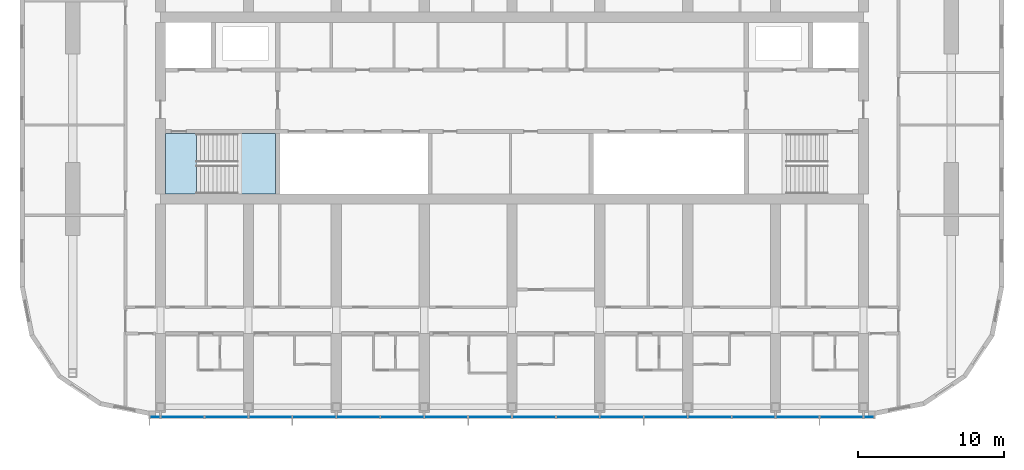
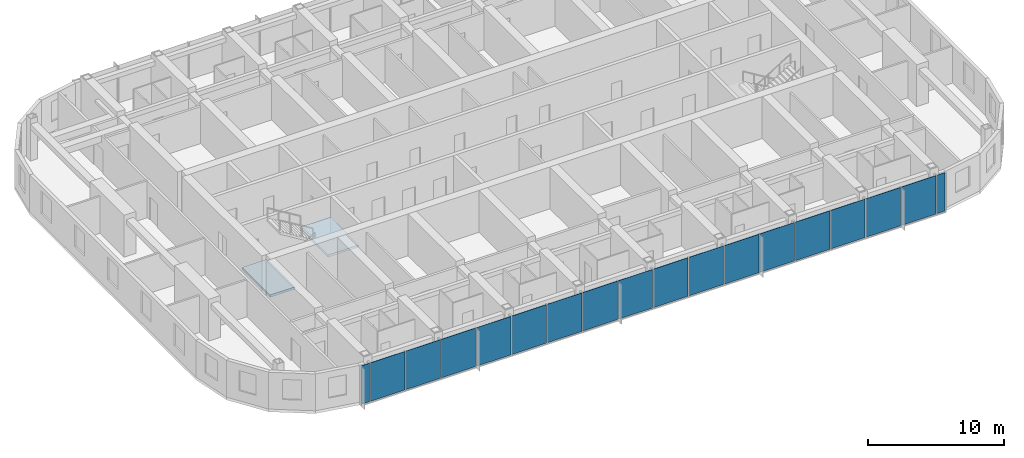
# One storey, part 7 of 23: 18 plates, 2 slabs, 2 elements without a shape of their own.
"""IFC4 building model written with IfcOpenShell, lengths in metres."""

import ifcopenshell
import ifcopenshell.guid

model = None  # the IFC model being written
_history = None  # IfcOwnerHistory: only IFC2X3 demands one
_inside = {}  # id of a spatial element -> (the spatial element, [elements in it])
_under = {}  # id of a project, library or spatial element -> (it, [spatial elements below it])
_declared = {}  # id of a project -> (the project, [libraries it declares])
_typed = {}  # id of a type object -> (the type object, [elements of that type])
_made_of = {}  # id of a material, layer set ... -> (it, [elements and type objects made of it])


def new_model(schema):
    """Start an empty IFC model of exactly this schema.

    Asked for "IFC4X3", IfcOpenShell would pick the latest addendum, in which some entities
    have other attributes; the version numbers below select the first issue.
    IFC2X3 requires an IfcOwnerHistory on every rooted entity: one is made here for all.
    """
    global model, _history
    if schema == "IFC4X3":
        model = ifcopenshell.file(schema_version=(4, 3, 0, 0))
    else:
        model = ifcopenshell.file(schema=schema)
    _inside.clear()
    _under.clear()
    _declared.clear()
    _typed.clear()
    _made_of.clear()
    _history = None
    if model.schema == "IFC2X3":
        org = make("IfcOrganization", Name="unknown")
        user = make(
            "IfcPersonAndOrganization",
            ThePerson=make("IfcPerson", FamilyName="unknown"),
            TheOrganization=org,
        )
        app = make(
            "IfcApplication",
            ApplicationDeveloper=org,
            Version="unknown",
            ApplicationFullName="unknown",
            ApplicationIdentifier="unknown",
        )
        _history = make(
            "IfcOwnerHistory",
            OwningUser=user,
            OwningApplication=app,
            ChangeAction="ADDED",
            CreationDate=0,
        )
    return model


def make(cls, **values):
    """One entity of the class cls with the attributes given. An attribute that is None is left unset."""
    return model.create_entity(
        cls, **{name: value for name, value in values.items() if value is not None}
    )


def rooted(cls, **values):
    """An entity with a GlobalId (a new one), such as an element, a storey or a relation."""
    return make(cls, GlobalId=ifcopenshell.guid.new(), OwnerHistory=_history, **values)


def si_unit(unit_type, name, prefix=None):
    """IfcSIUnit, for example si_unit("LENGTHUNIT", "METRE", prefix="MILLI")."""
    return make("IfcSIUnit", UnitType=unit_type, Prefix=prefix, Name=name)


def assignment(units):
    """IfcUnitAssignment: the units of a project."""
    return None if units is None else make("IfcUnitAssignment", Units=units)


def point(xyz):
    """IfcCartesianPoint."""
    return None if xyz is None else make("IfcCartesianPoint", Coordinates=xyz)


def direction(xyz):
    """IfcDirection."""
    return None if xyz is None else make("IfcDirection", DirectionRatios=xyz)


def frame(location, z_axis=None, x_axis=None):
    """IfcAxis2Placement3D, a coordinate frame: its origin and axes. An axis left out is left unset."""
    return make(
        "IfcAxis2Placement3D",
        Location=point(location),
        Axis=direction(z_axis),
        RefDirection=direction(x_axis),
    )


def frame_2d(location, x_axis=None):
    """IfcAxis2Placement2D, a coordinate frame in the plane: its origin and x axis."""
    return make(
        "IfcAxis2Placement2D", Location=point(location), RefDirection=direction(x_axis)
    )


def origin():
    """The frame at (0, 0, 0) with its axes left unset."""
    return frame((0.0, 0.0, 0.0))


def origin_2d():
    """The frame at (0, 0) in the plane with its x axis left unset."""
    return frame_2d((0.0, 0.0))


def place(relative_to, where):
    """IfcLocalPlacement: puts the frame where relative to a parent placement (None: the world)."""
    return make(
        "IfcLocalPlacement", PlacementRelTo=relative_to, RelativePlacement=where
    )


def context(
    kind, dimensions, precision=None, world=None, true_north=None, identifier=None
):
    """IfcGeometricRepresentationContext, for example the 3D "Model" context."""
    return make(
        "IfcGeometricRepresentationContext",
        ContextIdentifier=identifier,
        ContextType=kind,
        CoordinateSpaceDimension=dimensions,
        Precision=precision,
        WorldCoordinateSystem=world,
        TrueNorth=true_north,
    )


def subcontext(parent, identifier, kind, view, scale=None):
    """IfcGeometricRepresentationSubContext, for example "Body" below "Model"."""
    return make(
        "IfcGeometricRepresentationSubContext",
        ContextIdentifier=identifier,
        ContextType=kind,
        ParentContext=parent,
        TargetScale=scale,
        TargetView=view,
    )


def project(units=None, contexts=None):
    """IfcProject with its units and contexts."""
    return rooted(
        "IfcProject",
        Name="project",
        RepresentationContexts=contexts,
        UnitsInContext=assignment(units),
    )


def spatial(cls, under=None, at=None, **own):
    """A site, building, storey or space (cls), placed at a placement, below another one or the project."""
    s = rooted(cls, ObjectPlacement=at, **own)
    if under is not None:
        _under.setdefault(under.id(), (under, []))[1].append(s)
    return s


def polyline(points):
    """IfcPolyline through the points."""
    return make("IfcPolyline", Points=[point(p) for p in points])


def profile(cls, at=None, kind="AREA", **sizes):
    """A parametric profile (cls). Its sizes go by their IFC names, for example OverallWidth=200.0."""
    return make(cls, ProfileType=kind, Position=at, **sizes)


def rectangle(**sizes):
    """IfcRectangleProfileDef."""
    return profile("IfcRectangleProfileDef", **sizes)


def outline(outer, holes=None, kind="AREA"):
    """IfcArbitraryClosedProfileDef: a profile drawn as a closed curve; with holes, ...WithVoids."""
    if holes is None:
        return make("IfcArbitraryClosedProfileDef", ProfileType=kind, OuterCurve=outer)
    return make(
        "IfcArbitraryProfileDefWithVoids",
        ProfileType=kind,
        OuterCurve=outer,
        InnerCurves=holes,
    )


def extrude(swept, where, along, depth):
    """IfcExtrudedAreaSolid: the profile swept, set in the frame where, extruded along a direction by depth."""
    return make(
        "IfcExtrudedAreaSolid",
        SweptArea=swept,
        Position=where,
        ExtrudedDirection=direction(along),
        Depth=depth,
    )


def shape(context_of_items, identifier, shape_type, items):
    """IfcShapeRepresentation: the items that make up one representation, for example the "Body"."""
    return make(
        "IfcShapeRepresentation",
        ContextOfItems=context_of_items,
        RepresentationIdentifier=identifier,
        RepresentationType=shape_type,
        Items=items,
    )


def material(Name=None, Category=None):
    """IfcMaterial."""
    return make("IfcMaterial", Name=Name, Category=Category)


def layer(
    of_material, thickness, ventilated=None, Name=None, Category=None, Priority=None
):
    """IfcMaterialLayer: one layer of a wall or slab, of a material (None: an air gap)."""
    return make(
        "IfcMaterialLayer",
        Material=of_material,
        LayerThickness=thickness,
        IsVentilated=ventilated,
        Name=Name,
        Category=Category,
        Priority=Priority,
    )


def layer_set(layers, Name=None):
    """IfcMaterialLayerSet."""
    return make("IfcMaterialLayerSet", MaterialLayers=layers, LayerSetName=Name)


def made_of(thing, what):
    """Note that an element or type object is made of a material, layer set ...; save() writes the relation."""
    if what is not None:
        _made_of.setdefault(what.id(), (what, []))[1].append(thing)
    return thing


def type_object(cls, material=None, **own):
    """A type object (cls), such as IfcWallType, which elements share."""
    return made_of(rooted(cls, **own), material)


def element(
    cls,
    number,
    at=None,
    inside=None,
    cuts=None,
    type_object=None,
    material=None,
    context=None,
    identifier="Body",
    shape_type=None,
    held_by="IfcProductDefinitionShape",
    body=None,
    shapes=None,
    **own,
):
    """One element of the class cls, such as IfcWall. Its Tag is "e" and its number.

    at: its placement. inside: the storey or other place that contains it. cuts: it is an
    opening in that element (IfcRelVoidsElement). A single representation is given by context,
    identifier, shape_type and body (its items); several are given by shapes. held_by: the class
    of the entity that holds the representations. save() writes the other relations.
    """
    e = rooted(cls, Tag="e%d" % number, ObjectPlacement=at, **own)
    if body is not None:
        shapes = [shape(context, identifier, shape_type, body)]
    if shapes is not None:
        e.Representation = make(held_by, Representations=shapes)
    if inside is not None:
        _inside.setdefault(inside.id(), (inside, []))[1].append(e)
    if cuts is not None:
        rooted(
            "IfcRelVoidsElement", RelatingBuildingElement=cuts, RelatedOpeningElement=e
        )
    if type_object is not None:
        _typed.setdefault(type_object.id(), (type_object, []))[1].append(e)
    return made_of(e, material)


def aggregate(whole, parts):
    """IfcRelAggregates: a whole, such as a stair, and the parts it consists of."""
    return rooted("IfcRelAggregates", RelatingObject=whole, RelatedObjects=parts)


def save(model, path):
    """Write the relations noted so far, then the file.

    IfcRelAggregates (storeys below a building ...), IfcRelContainedInSpatialStructure (elements
    in a storey), IfcRelDefinesByType, IfcRelAssociatesMaterial and IfcRelDeclares: one each for
    every whole, place, type object, material and project.
    """
    for whole, parts in _under.values():
        aggregate(whole, parts)
    for where, things in _inside.values():
        rooted(
            "IfcRelContainedInSpatialStructure",
            RelatedElements=things,
            RelatingStructure=where,
        )
    for kind, things in _typed.values():
        rooted("IfcRelDefinesByType", RelatedObjects=things, RelatingType=kind)
    for what, things in _made_of.values():
        rooted("IfcRelAssociatesMaterial", RelatedObjects=things, RelatingMaterial=what)
    for by, libraries in _declared.values():
        rooted("IfcRelDeclares", RelatingContext=by, RelatedDefinitions=libraries)
    model.write(path)


model = new_model("IFC4")

# Units and contexts
model_context = context("Model", 3, precision=1e-05, world=origin(), true_north=direction((0.0, 1.0)))
body_context = subcontext(model_context, "Body", "Model", "MODEL_VIEW")
ifc_project = project(units=[si_unit("LENGTHUNIT", "METRE"), si_unit("AREAUNIT", "SQUARE_METRE"), si_unit("VOLUMEUNIT", "CUBIC_METRE"), si_unit("PLANEANGLEUNIT", "RADIAN"), si_unit("MASSUNIT", "GRAM", prefix="KILO")], contexts=[model_context])

# Site, building, storey
site_placement = place(None, origin())
site = spatial("IfcSite", under=ifc_project, at=site_placement, CompositionType="ELEMENT")
building_placement = place(site_placement, origin())
building = spatial("IfcBuilding", under=site, at=building_placement, Name="Orbita Commons", CompositionType="ELEMENT")
storey_placement = place(building_placement, frame((0.0, 0.0, 227.800048828125)))
storey = spatial("IfcBuildingStorey", under=building, at=storey_placement, Name="L56", CompositionType="ELEMENT", Elevation=227.800048828125)

# Curtain wall, plates
ifc_material_1 = material(Name="Anodised aluminium frame, pale silver", Category="aluminium")
curtain_wall_type = type_object("IfcCurtainWallType", Name="Unitised curtain wall CW-U, full-height vision", PredefinedType="NOTDEFINED", material=ifc_material_1)
curtain_wall_placement = place(storey_placement, origin())
curtain_wall = element("IfcCurtainWall", 1, at=curtain_wall_placement, inside=storey, type_object=curtain_wall_type, Name="Curtain wall south L56", PredefinedType="NOTDEFINED")
ifc_material_2 = material(Name="Clear double glazing", Category="glass")
ifc_layer_1 = layer(ifc_material_2, 0.031982421875)
ifc_layer_set_1 = layer_set([ifc_layer_1], Name="Clear double glazing")
plate_type = type_object("IfcPlateType", Name="Full-height vision panel, clear glazing 32", PredefinedType="CURTAIN_PANEL", material=ifc_layer_set_1)
plate_1_placement = place(storey_placement, frame((17.6201171875, 10.889892578125, -0.14990234375), z_axis=(0.0, 0.0, 1.0), x_axis=(1.0, 0.0, 0.0)))
plate_1 = element("IfcPlate", 2, at=plate_1_placement, type_object=plate_type, Name="Panel 1.1 CW-L56-S", PredefinedType="CURTAIN_PANEL", context=body_context, shape_type="SweptSolid", body=[
    extrude(rectangle(XDim=0.679931640625, YDim=0.031982421875, at=origin_2d()), origin(), (0.0, 0.0, 1.0), 3.449951171875),
])
plate_2_placement = place(storey_placement, frame((19.5, 10.889892578125, -0.14990234375), z_axis=(0.0, 0.0, 1.0), x_axis=(1.0, 0.0, 0.0)))
plate_2 = element("IfcPlate", 3, at=plate_2_placement, type_object=plate_type, Name="Panel 2.1 CW-L56-S", PredefinedType="CURTAIN_PANEL", context=body_context, shape_type="SweptSolid", body=[
    extrude(rectangle(XDim=2.919921875, YDim=0.031982421875, at=origin_2d()), origin(), (0.0, 0.0, 1.0), 3.449951171875),
])
plate_3_placement = place(storey_placement, frame((22.5, 10.889892578125, -0.14990234375), z_axis=(0.0, 0.0, 1.0), x_axis=(1.0, 0.0, 0.0)))
plate_3 = element("IfcPlate", 4, at=plate_3_placement, type_object=plate_type, Name="Panel 3.1 CW-L56-S", PredefinedType="CURTAIN_PANEL", context=body_context, shape_type="SweptSolid", body=[
    extrude(rectangle(XDim=2.919921875, YDim=0.031982421875, at=origin_2d()), origin(), (0.0, 0.0, 1.0), 3.449951171875),
])
plate_4_placement = place(storey_placement, frame((25.5, 10.889892578125, -0.14990234375), z_axis=(0.0, 0.0, 1.0), x_axis=(1.0, 0.0, 0.0)))
plate_4 = element("IfcPlate", 5, at=plate_4_placement, type_object=plate_type, Name="Panel 4.1 CW-L56-S", PredefinedType="CURTAIN_PANEL", context=body_context, shape_type="SweptSolid", body=[
    extrude(rectangle(XDim=2.919921875, YDim=0.031982421875, at=origin_2d()), origin(), (0.0, 0.0, 1.0), 3.449951171875),
])
plate_5_placement = place(storey_placement, frame((28.5, 10.889892578125, -0.14990234375), z_axis=(0.0, 0.0, 1.0), x_axis=(1.0, 0.0, 0.0)))
plate_5 = element("IfcPlate", 6, at=plate_5_placement, type_object=plate_type, Name="Panel 5.1 CW-L56-S", PredefinedType="CURTAIN_PANEL", context=body_context, shape_type="SweptSolid", body=[
    extrude(rectangle(XDim=2.919921875, YDim=0.031982421875, at=origin_2d()), origin(), (0.0, 0.0, 1.0), 3.449951171875),
])
plate_6_placement = place(storey_placement, frame((31.5, 10.889892578125, -0.14990234375), z_axis=(0.0, 0.0, 1.0), x_axis=(1.0, 0.0, 0.0)))
plate_6 = element("IfcPlate", 7, at=plate_6_placement, type_object=plate_type, Name="Panel 6.1 CW-L56-S", PredefinedType="CURTAIN_PANEL", context=body_context, shape_type="SweptSolid", body=[
    extrude(rectangle(XDim=2.919921875, YDim=0.031982421875, at=origin_2d()), origin(), (0.0, 0.0, 1.0), 3.449951171875),
])
plate_7_placement = place(storey_placement, frame((34.5, 10.889892578125, -0.14990234375), z_axis=(0.0, 0.0, 1.0), x_axis=(1.0, 0.0, 0.0)))
plate_7 = element("IfcPlate", 8, at=plate_7_placement, type_object=plate_type, Name="Panel 7.1 CW-L56-S", PredefinedType="CURTAIN_PANEL", context=body_context, shape_type="SweptSolid", body=[
    extrude(rectangle(XDim=2.919921875, YDim=0.031982421875, at=origin_2d()), origin(), (0.0, 0.0, 1.0), 3.449951171875),
])
plate_8_placement = place(storey_placement, frame((37.5, 10.889892578125, -0.14990234375), z_axis=(0.0, 0.0, 1.0), x_axis=(1.0, 0.0, 0.0)))
plate_8 = element("IfcPlate", 9, at=plate_8_placement, type_object=plate_type, Name="Panel 8.1 CW-L56-S", PredefinedType="CURTAIN_PANEL", context=body_context, shape_type="SweptSolid", body=[
    extrude(rectangle(XDim=2.919921875, YDim=0.031982421875, at=origin_2d()), origin(), (0.0, 0.0, 1.0), 3.449951171875),
])
plate_9_placement = place(storey_placement, frame((40.5, 10.889892578125, -0.14990234375), z_axis=(0.0, 0.0, 1.0), x_axis=(1.0, 0.0, 0.0)))
plate_9 = element("IfcPlate", 10, at=plate_9_placement, type_object=plate_type, Name="Panel 9.1 CW-L56-S", PredefinedType="CURTAIN_PANEL", context=body_context, shape_type="SweptSolid", body=[
    extrude(rectangle(XDim=2.919921875, YDim=0.031982421875, at=origin_2d()), origin(), (0.0, 0.0, 1.0), 3.449951171875),
])
plate_10_placement = place(storey_placement, frame((43.5, 10.889892578125, -0.14990234375), z_axis=(0.0, 0.0, 1.0), x_axis=(1.0, 0.0, 0.0)))
plate_10 = element("IfcPlate", 11, at=plate_10_placement, type_object=plate_type, Name="Panel 10.1 CW-L56-S", PredefinedType="CURTAIN_PANEL", context=body_context, shape_type="SweptSolid", body=[
    extrude(rectangle(XDim=2.919921875, YDim=0.031982421875, at=origin_2d()), origin(), (0.0, 0.0, 1.0), 3.449951171875),
])
plate_11_placement = place(storey_placement, frame((46.5, 10.889892578125, -0.14990234375), z_axis=(0.0, 0.0, 1.0), x_axis=(1.0, 0.0, 0.0)))
plate_11 = element("IfcPlate", 12, at=plate_11_placement, type_object=plate_type, Name="Panel 11.1 CW-L56-S", PredefinedType="CURTAIN_PANEL", context=body_context, shape_type="SweptSolid", body=[
    extrude(rectangle(XDim=2.919921875, YDim=0.031982421875, at=origin_2d()), origin(), (0.0, 0.0, 1.0), 3.449951171875),
])
plate_12_placement = place(storey_placement, frame((49.5, 10.889892578125, -0.14990234375), z_axis=(0.0, 0.0, 1.0), x_axis=(1.0, 0.0, 0.0)))
plate_12 = element("IfcPlate", 13, at=plate_12_placement, type_object=plate_type, Name="Panel 12.1 CW-L56-S", PredefinedType="CURTAIN_PANEL", context=body_context, shape_type="SweptSolid", body=[
    extrude(rectangle(XDim=2.919921875, YDim=0.031982421875, at=origin_2d()), origin(), (0.0, 0.0, 1.0), 3.449951171875),
])
plate_13_placement = place(storey_placement, frame((52.5, 10.889892578125, -0.14990234375), z_axis=(0.0, 0.0, 1.0), x_axis=(1.0, 0.0, 0.0)))
plate_13 = element("IfcPlate", 14, at=plate_13_placement, type_object=plate_type, Name="Panel 13.1 CW-L56-S", PredefinedType="CURTAIN_PANEL", context=body_context, shape_type="SweptSolid", body=[
    extrude(rectangle(XDim=2.919921875, YDim=0.031982421875, at=origin_2d()), origin(), (0.0, 0.0, 1.0), 3.449951171875),
])
plate_14_placement = place(storey_placement, frame((55.5, 10.889892578125, -0.14990234375), z_axis=(0.0, 0.0, 1.0), x_axis=(1.0, 0.0, 0.0)))
plate_14 = element("IfcPlate", 15, at=plate_14_placement, type_object=plate_type, Name="Panel 14.1 CW-L56-S", PredefinedType="CURTAIN_PANEL", context=body_context, shape_type="SweptSolid", body=[
    extrude(rectangle(XDim=2.919921875, YDim=0.031982421875, at=origin_2d()), origin(), (0.0, 0.0, 1.0), 3.449951171875),
])
plate_15_placement = place(storey_placement, frame((58.5, 10.889892578125, -0.14990234375), z_axis=(0.0, 0.0, 1.0), x_axis=(1.0, 0.0, 0.0)))
plate_15 = element("IfcPlate", 16, at=plate_15_placement, type_object=plate_type, Name="Panel 15.1 CW-L56-S", PredefinedType="CURTAIN_PANEL", context=body_context, shape_type="SweptSolid", body=[
    extrude(rectangle(XDim=2.919921875, YDim=0.031982421875, at=origin_2d()), origin(), (0.0, 0.0, 1.0), 3.449951171875),
])
plate_16_placement = place(storey_placement, frame((61.5, 10.889892578125, -0.14990234375), z_axis=(0.0, 0.0, 1.0), x_axis=(1.0, 0.0, 0.0)))
plate_16 = element("IfcPlate", 17, at=plate_16_placement, type_object=plate_type, Name="Panel 16.1 CW-L56-S", PredefinedType="CURTAIN_PANEL", context=body_context, shape_type="SweptSolid", body=[
    extrude(rectangle(XDim=2.919921875, YDim=0.031982421875, at=origin_2d()), origin(), (0.0, 0.0, 1.0), 3.449951171875),
])
plate_17_placement = place(storey_placement, frame((64.5, 10.889892578125, -0.14990234375), z_axis=(0.0, 0.0, 1.0), x_axis=(1.0, 0.0, 0.0)))
plate_17 = element("IfcPlate", 18, at=plate_17_placement, type_object=plate_type, Name="Panel 17.1 CW-L56-S", PredefinedType="CURTAIN_PANEL", context=body_context, shape_type="SweptSolid", body=[
    extrude(rectangle(XDim=2.919921875, YDim=0.031982421875, at=origin_2d()), origin(), (0.0, 0.0, 1.0), 3.449951171875),
])
plate_18_placement = place(storey_placement, frame((66.3798828125, 10.889892578125, -0.14990234375), z_axis=(0.0, 0.0, 1.0), x_axis=(1.0, 0.0, 0.0)))
plate_18 = element("IfcPlate", 19, at=plate_18_placement, type_object=plate_type, Name="Panel 18.1 CW-L56-S", PredefinedType="CURTAIN_PANEL", context=body_context, shape_type="SweptSolid", body=[
    extrude(rectangle(XDim=0.679931640625, YDim=0.031982421875, at=origin_2d()), origin(), (0.0, 0.0, 1.0), 3.449951171875),
])
aggregate(curtain_wall, [plate_1, plate_2, plate_3, plate_4, plate_5, plate_6, plate_7, plate_8, plate_9, plate_10, plate_11, plate_12, plate_13, plate_14, plate_15, plate_16, plate_17, plate_18])

# Stair, slabs
ifc_material_3 = material(Name="Precast concrete C40/50", Category="concrete")
stair_type = type_object("IfcStairType", Name="Exit stair S1 2 flights 11 risers 170", PredefinedType="HALF_TURN_STAIR", material=ifc_material_3)
stair_placement = place(storey_placement, origin())
stair = element("IfcStair", 20, at=stair_placement, inside=storey, type_object=stair_type, Name="Exit stair S1 L56", PredefinedType="HALF_TURN_STAIR")
ifc_material_4 = material(Name="Concrete C40/50", Category="concrete")
ifc_layer_2 = layer(ifc_material_4, 0.199951171875)
ifc_layer_set_2 = layer_set([ifc_layer_2], Name="Concrete C40/50")
slab_type = type_object("IfcSlabType", Name="Stair landing 200", PredefinedType="LANDING", material=ifc_layer_set_2)
slab_1_placement = place(storey_placement, frame((0.0, 0.0, -0.199951171875)))
slab_1 = element("IfcSlab", 21, at=slab_1_placement, type_object=slab_type, Name="S1 landing 1", PredefinedType="LANDING", context=body_context, shape_type="SweptSolid", body=[
    extrude(outline(polyline([(18.35009765625, 26.14990234375), (20.449951171875, 26.14990234375), (20.449951171875, 30.25), (18.35009765625, 30.25), (18.35009765625, 26.14990234375)])), origin(), (0.0, 0.0, 1.0), 0.199951171875),
])
slab_2_placement = place(storey_placement, frame((0.0, 0.0, 1.675048828125)))
slab_2 = element("IfcSlab", 22, at=slab_2_placement, type_object=slab_type, Name="S1 landing 2", PredefinedType="LANDING", context=body_context, shape_type="SweptSolid", body=[
    extrude(outline(polyline([(23.25, 26.135009765625), (25.864990234375, 26.135009765625), (25.864990234375, 30.264892578125), (23.25, 30.264892578125), (23.25, 26.135009765625)])), origin(), (0.0, 0.0, 1.0), 0.199951171875),
])
aggregate(stair, [slab_1, slab_2])

save(model, "model.ifc")
